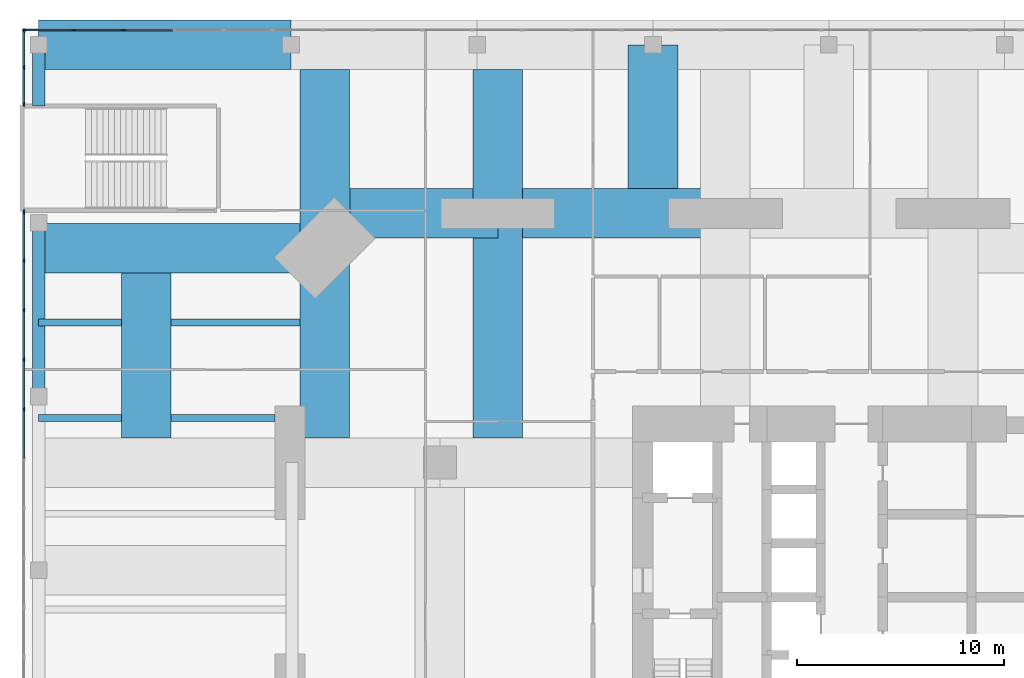
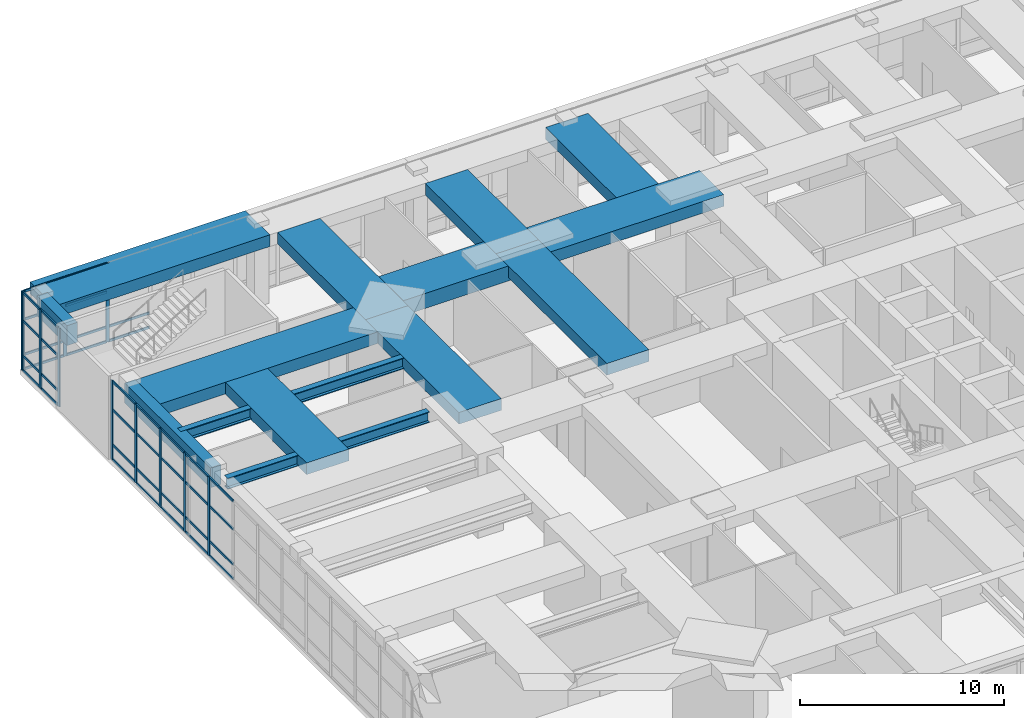
# One storey, part 7 of 24: 49 members, 16 beams, 3 elements without a shape of their own.
"""IFC4 building model written with IfcOpenShell, lengths in metres."""

from ifc_helpers import new_model, si_unit, direction, frame, origin, origin_2d, place, context, subcontext, project, spatial, rectangle, i_section, extrude, material, material_profile, profile_set, type_object, element, aggregate, save


model = new_model("IFC4")

# Units and contexts
model_context = context("Model", 3, precision=1e-05, world=origin(), true_north=direction((0.0, 1.0)))
body_context = subcontext(model_context, "Body", "Model", "MODEL_VIEW")
ifc_project = project(units=[si_unit("LENGTHUNIT", "METRE"), si_unit("AREAUNIT", "SQUARE_METRE"), si_unit("VOLUMEUNIT", "CUBIC_METRE"), si_unit("PLANEANGLEUNIT", "RADIAN"), si_unit("MASSUNIT", "GRAM", prefix="KILO")], contexts=[model_context])

# Site, building, storey
site_placement = place(None, origin())
site = spatial("IfcSite", under=ifc_project, at=site_placement, CompositionType="ELEMENT")
building_placement = place(site_placement, origin())
building = spatial("IfcBuilding", under=site, at=building_placement, Name="Jalousie Tower", CompositionType="ELEMENT")
storey_placement = place(building_placement, frame((0.0, 0.0, 11.0)))
storey = spatial("IfcBuildingStorey", under=building, at=storey_placement, Name="L02", CompositionType="ELEMENT", Elevation=11.0)

# Beams
ifc_material_1 = material(Name="Steel ASTM A992 Grade 50", Category="steel")
ifc_material_profile_1 = material_profile(ifc_material_1, i_section(OverallWidth=0.332763671875, OverallDepth=0.660400390625, WebThickness=0.0244140625, FlangeThickness=0.0439453125, at=origin_2d()), Name="W24X229")
ifc_profile_set_1 = profile_set([ifc_material_profile_1], Name="Steel ASTM A992 Grade 50")
beam_type_1 = type_object("IfcBeamType", Name="PLANT FLOOR BEAM W24X229", PredefinedType="BEAM", material=ifc_profile_set_1)
beam_1_placement = place(storey_placement, frame((-9.199951171875, 27.155517578125, 4.389892578125), z_axis=(1.0, 0.0, 0.0), x_axis=(0.0, 1.0, 0.0)))
element("IfcBeam", 1, at=beam_1_placement, inside=storey, type_object=beam_type_1, Name="Plant floor beam under Mechanical plant room L03", PredefinedType="BEAM", context=body_context, shape_type="SweptSolid", body=[
    extrude(i_section(OverallWidth=0.332763671875, OverallDepth=0.660400390625, WebThickness=0.0244140625, FlangeThickness=0.0439453125, at=origin_2d()), origin(), (0.0, 0.0, 1.0), 4.0),
])
beam_2_placement = place(storey_placement, frame((-2.800048828125, 27.155517578125, 4.389892578125), z_axis=(1.0, 0.0, 0.0), x_axis=(0.0, 1.0, 0.0)))
element("IfcBeam", 2, at=beam_2_placement, inside=storey, type_object=beam_type_1, Name="Plant floor beam under Mechanical plant room L03", PredefinedType="BEAM", context=body_context, shape_type="SweptSolid", body=[
    extrude(i_section(OverallWidth=0.332763671875, OverallDepth=0.660400390625, WebThickness=0.0244140625, FlangeThickness=0.0439453125, at=origin_2d()), origin(), (0.0, 0.0, 1.0), 5.025146484375),
])
beam_3_placement = place(storey_placement, frame((-9.199951171875, 31.77783203125, 4.389892578125), z_axis=(1.0, 0.0, 0.0), x_axis=(0.0, 1.0, 0.0)))
element("IfcBeam", 3, at=beam_3_placement, inside=storey, type_object=beam_type_1, Name="Plant floor beam under Mechanical plant room L03", PredefinedType="BEAM", context=body_context, shape_type="SweptSolid", body=[
    extrude(i_section(OverallWidth=0.332763671875, OverallDepth=0.660400390625, WebThickness=0.0244140625, FlangeThickness=0.0439453125, at=origin_2d()), origin(), (0.0, 0.0, 1.0), 4.0),
])
beam_4_placement = place(storey_placement, frame((-2.800048828125, 31.77783203125, 4.389892578125), z_axis=(1.0, 0.0, 0.0), x_axis=(0.0, 1.0, 0.0)))
element("IfcBeam", 4, at=beam_4_placement, inside=storey, type_object=beam_type_1, Name="Plant floor beam under Mechanical plant room L03", PredefinedType="BEAM", context=body_context, shape_type="SweptSolid", body=[
    extrude(i_section(OverallWidth=0.332763671875, OverallDepth=0.660400390625, WebThickness=0.0244140625, FlangeThickness=0.0439453125, at=origin_2d()), origin(), (0.0, 0.0, 1.0), 6.2314453125),
])

# Curtain wall, members
ifc_material_2 = material(Name="Aluminium curtain wall", Category="aluminium")
curtain_wall_type = type_object("IfcCurtainWallType", Name="PODIUM WINDOW WALL", PredefinedType="USERDEFINED", material=ifc_material_2)
curtain_wall_1_placement = place(storey_placement, origin())
curtain_wall_1 = element("IfcCurtainWall", 5, at=curtain_wall_1_placement, inside=storey, type_object=curtain_wall_type, Name="Podium Window Wall L02 21", ObjectType="PODIUM WINDOW WALL", PredefinedType="USERDEFINED")
ifc_material_3 = material(Name="Aluminium mullion", Category="aluminium")
ifc_material_profile_2 = material_profile(ifc_material_3, rectangle(XDim=0.070068359375, YDim=0.199951171875, at=origin_2d()), Name="MULLION 70x200")
ifc_profile_set_2 = profile_set([ifc_material_profile_2], Name="Aluminium mullion")
member_type_1 = type_object("IfcMemberType", Name="PODIUM WINDOW WALL MULLION", PredefinedType="MULLION", material=ifc_profile_set_2)
member_1_placement = place(storey_placement, frame((-5.096923828125, 45.91259765625, 0.0), z_axis=(0.0, 0.0, 1.0), x_axis=(0.0, -1.0, 0.0)))
member_1 = element("IfcMember", 6, at=member_1_placement, type_object=member_type_1, Name="CW-P mullion 28", PredefinedType="MULLION", context=body_context, shape_type="SweptSolid", body=[
    extrude(rectangle(XDim=0.070068359375, YDim=0.199951171875, at=origin_2d()), origin(), (0.0, 0.0, 1.0), 4.719970703125),
])
member_2_placement = place(storey_placement, frame((-7.504638671875, 45.91259765625, 0.0), z_axis=(0.0, 0.0, 1.0), x_axis=(0.0, -1.0, 0.0)))
member_2 = element("IfcMember", 7, at=member_2_placement, type_object=member_type_1, Name="CW-P mullion 29", PredefinedType="MULLION", context=body_context, shape_type="SweptSolid", body=[
    extrude(rectangle(XDim=0.070068359375, YDim=0.199951171875, at=origin_2d()), origin(), (0.0, 0.0, 1.0), 4.719970703125),
])
member_3_placement = place(storey_placement, frame((-9.87744140625, 45.91259765625, 0.0), z_axis=(0.0, 0.0, 1.0), x_axis=(0.0, -1.0, 0.0)))
member_3 = element("IfcMember", 8, at=member_3_placement, type_object=member_type_1, Name="CW-P mullion 30", PredefinedType="MULLION", context=body_context, shape_type="SweptSolid", body=[
    extrude(rectangle(XDim=0.070068359375, YDim=0.199951171875, at=origin_2d()), origin(), (0.0, 0.0, 1.0), 4.719970703125),
])

curtain_wall_2_placement = place(storey_placement, origin())
curtain_wall_2 = element("IfcCurtainWall", 9, at=curtain_wall_2_placement, inside=storey, type_object=curtain_wall_type, Name="Podium Window Wall L02 31", ObjectType="PODIUM WINDOW WALL", PredefinedType="USERDEFINED")
member_4_placement = place(storey_placement, frame((-9.91259765625, 45.87744140625, 0.0), z_axis=(0.0, 0.0, 1.0), x_axis=(1.0, 0.0, 0.0)))
member_4 = element("IfcMember", 10, at=member_4_placement, type_object=member_type_1, Name="CW-P mullion 1", PredefinedType="MULLION", context=body_context, shape_type="SweptSolid", body=[
    extrude(rectangle(XDim=0.070068359375, YDim=0.199951171875, at=origin_2d()), origin(), (0.0, 0.0, 1.0), 4.719970703125),
])
member_5_placement = place(storey_placement, frame((-9.91259765625, 44.106201171875, 0.0), z_axis=(0.0, 0.0, 1.0), x_axis=(1.0, 0.0, 0.0)))
member_5 = element("IfcMember", 11, at=member_5_placement, type_object=member_type_1, Name="CW-P mullion 2", PredefinedType="MULLION", context=body_context, shape_type="SweptSolid", body=[
    extrude(rectangle(XDim=0.070068359375, YDim=0.199951171875, at=origin_2d()), origin(), (0.0, 0.0, 1.0), 4.719970703125),
])
member_6_placement = place(storey_placement, frame((-9.91259765625, 42.3349609375, 0.0), z_axis=(0.0, 0.0, 1.0), x_axis=(1.0, 0.0, 0.0)))
member_6 = element("IfcMember", 12, at=member_6_placement, type_object=member_type_1, Name="CW-P mullion 3", PredefinedType="MULLION", context=body_context, shape_type="SweptSolid", body=[
    extrude(rectangle(XDim=0.070068359375, YDim=0.199951171875, at=origin_2d()), origin(), (0.0, 0.0, 1.0), 4.719970703125),
])

curtain_wall_3_placement = place(storey_placement, origin())
curtain_wall_3 = element("IfcCurtainWall", 13, at=curtain_wall_3_placement, inside=storey, type_object=curtain_wall_type, Name="Podium Window Wall L02 33", ObjectType="PODIUM WINDOW WALL", PredefinedType="USERDEFINED")
member_7_placement = place(storey_placement, frame((-9.91259765625, 37.114990234375, 0.0), z_axis=(0.0, 0.0, 1.0), x_axis=(1.0, 0.0, 0.0)))
member_7 = element("IfcMember", 14, at=member_7_placement, type_object=member_type_1, Name="CW-P mullion 1", PredefinedType="MULLION", context=body_context, shape_type="SweptSolid", body=[
    extrude(rectangle(XDim=0.070068359375, YDim=0.199951171875, at=origin_2d()), origin(), (0.0, 0.0, 1.0), 4.719970703125),
])
member_8_placement = place(storey_placement, frame((-9.91259765625, 34.757568359375, 0.0), z_axis=(0.0, 0.0, 1.0), x_axis=(1.0, 0.0, 0.0)))
member_8 = element("IfcMember", 15, at=member_8_placement, type_object=member_type_1, Name="CW-P mullion 2", PredefinedType="MULLION", context=body_context, shape_type="SweptSolid", body=[
    extrude(rectangle(XDim=0.070068359375, YDim=0.199951171875, at=origin_2d()), origin(), (0.0, 0.0, 1.0), 4.719970703125),
])
member_9_placement = place(storey_placement, frame((-9.91259765625, 32.365234375, 0.0), z_axis=(0.0, 0.0, 1.0), x_axis=(1.0, 0.0, 0.0)))
member_9 = element("IfcMember", 16, at=member_9_placement, type_object=member_type_1, Name="CW-P mullion 3", PredefinedType="MULLION", context=body_context, shape_type="SweptSolid", body=[
    extrude(rectangle(XDim=0.070068359375, YDim=0.199951171875, at=origin_2d()), origin(), (0.0, 0.0, 1.0), 4.719970703125),
])
member_10_placement = place(storey_placement, frame((-9.91259765625, 29.972900390625, 0.0), z_axis=(0.0, 0.0, 1.0), x_axis=(1.0, 0.0, 0.0)))
member_10 = element("IfcMember", 17, at=member_10_placement, type_object=member_type_1, Name="CW-P mullion 4", PredefinedType="MULLION", context=body_context, shape_type="SweptSolid", body=[
    extrude(rectangle(XDim=0.070068359375, YDim=0.199951171875, at=origin_2d()), origin(), (0.0, 0.0, 1.0), 4.719970703125),
])
member_11_placement = place(storey_placement, frame((-9.91259765625, 27.58056640625, 0.0), z_axis=(0.0, 0.0, 1.0), x_axis=(1.0, 0.0, 0.0)))
member_11 = element("IfcMember", 18, at=member_11_placement, type_object=member_type_1, Name="CW-P mullion 5", PredefinedType="MULLION", context=body_context, shape_type="SweptSolid", body=[
    extrude(rectangle(XDim=0.070068359375, YDim=0.199951171875, at=origin_2d()), origin(), (0.0, 0.0, 1.0), 4.719970703125),
])

# Member
ifc_material_4 = material(Name="Aluminium transom", Category="aluminium")
ifc_material_profile_3 = material_profile(ifc_material_4, rectangle(XDim=0.070068359375, YDim=0.139892578125, at=origin_2d()), Name="TRANSOM 70x140")
ifc_profile_set_3 = profile_set([ifc_material_profile_3], Name="Aluminium transom")
member_type_2 = type_object("IfcMemberType", Name="PODIUM WINDOW WALL TRANSOM", PredefinedType="USERDEFINED", material=ifc_profile_set_3)
member_12_placement = place(storey_placement, frame((-2.72412109375, 45.91259765625, 0.034912109375), z_axis=(-1.0, 0.0, 0.0), x_axis=(0.0, -1.0, 0.0)))
member_12 = element("IfcMember", 19, at=member_12_placement, type_object=member_type_2, Name="CW-P transom 27.1", ObjectType="TRANSOM", PredefinedType="USERDEFINED", context=body_context, shape_type="SweptSolid", body=[
    extrude(rectangle(XDim=0.070068359375, YDim=0.139892578125, at=origin_2d()), origin(), (0.0, 0.0, 1.0), 2.337890625),
])

member_13_placement = place(storey_placement, frame((-2.72412109375, 45.91259765625, 0.89990234375), z_axis=(-1.0, 0.0, 0.0), x_axis=(0.0, -1.0, 0.0)))
member_13 = element("IfcMember", 20, at=member_13_placement, type_object=member_type_2, Name="CW-P transom 27.2", ObjectType="TRANSOM", PredefinedType="USERDEFINED", context=body_context, shape_type="SweptSolid", body=[
    extrude(rectangle(XDim=0.070068359375, YDim=0.139892578125, at=origin_2d()), origin(), (0.0, 0.0, 1.0), 2.337890625),
])

member_14_placement = place(storey_placement, frame((-5.132080078125, 45.91259765625, 0.034912109375), z_axis=(-1.0, 0.0, 0.0), x_axis=(0.0, -1.0, 0.0)))
member_14 = element("IfcMember", 21, at=member_14_placement, type_object=member_type_2, Name="CW-P transom 28.1", ObjectType="TRANSOM", PredefinedType="USERDEFINED", context=body_context, shape_type="SweptSolid", body=[
    extrude(rectangle(XDim=0.070068359375, YDim=0.139892578125, at=origin_2d()), origin(), (0.0, 0.0, 1.0), 2.337646484375),
])

member_15_placement = place(storey_placement, frame((-5.132080078125, 45.91259765625, 0.89990234375), z_axis=(-1.0, 0.0, 0.0), x_axis=(0.0, -1.0, 0.0)))
member_15 = element("IfcMember", 22, at=member_15_placement, type_object=member_type_2, Name="CW-P transom 28.2", ObjectType="TRANSOM", PredefinedType="USERDEFINED", context=body_context, shape_type="SweptSolid", body=[
    extrude(rectangle(XDim=0.070068359375, YDim=0.139892578125, at=origin_2d()), origin(), (0.0, 0.0, 1.0), 2.337646484375),
])

member_16_placement = place(storey_placement, frame((-5.132080078125, 45.91259765625, 3.0), z_axis=(-1.0, 0.0, 0.0), x_axis=(0.0, -1.0, 0.0)))
member_16 = element("IfcMember", 23, at=member_16_placement, type_object=member_type_2, Name="CW-P transom 28.3", ObjectType="TRANSOM", PredefinedType="USERDEFINED", context=body_context, shape_type="SweptSolid", body=[
    extrude(rectangle(XDim=0.070068359375, YDim=0.139892578125, at=origin_2d()), origin(), (0.0, 0.0, 1.0), 2.337646484375),
])

member_17_placement = place(storey_placement, frame((-5.132080078125, 45.91259765625, 4.68505859375), z_axis=(-1.0, 0.0, 0.0), x_axis=(0.0, -1.0, 0.0)))
member_17 = element("IfcMember", 24, at=member_17_placement, type_object=member_type_2, Name="CW-P transom 28.4", ObjectType="TRANSOM", PredefinedType="USERDEFINED", context=body_context, shape_type="SweptSolid", body=[
    extrude(rectangle(XDim=0.070068359375, YDim=0.139892578125, at=origin_2d()), origin(), (0.0, 0.0, 1.0), 2.337646484375),
])

member_18_placement = place(storey_placement, frame((-7.539794921875, 45.91259765625, 0.034912109375), z_axis=(-1.0, 0.0, 0.0), x_axis=(0.0, -1.0, 0.0)))
member_18 = element("IfcMember", 25, at=member_18_placement, type_object=member_type_2, Name="CW-P transom 29.1", ObjectType="TRANSOM", PredefinedType="USERDEFINED", context=body_context, shape_type="SweptSolid", body=[
    extrude(rectangle(XDim=0.070068359375, YDim=0.139892578125, at=origin_2d()), origin(), (0.0, 0.0, 1.0), 2.302734375),
])

member_19_placement = place(storey_placement, frame((-7.539794921875, 45.91259765625, 0.89990234375), z_axis=(-1.0, 0.0, 0.0), x_axis=(0.0, -1.0, 0.0)))
member_19 = element("IfcMember", 26, at=member_19_placement, type_object=member_type_2, Name="CW-P transom 29.2", ObjectType="TRANSOM", PredefinedType="USERDEFINED", context=body_context, shape_type="SweptSolid", body=[
    extrude(rectangle(XDim=0.070068359375, YDim=0.139892578125, at=origin_2d()), origin(), (0.0, 0.0, 1.0), 2.302734375),
])

member_20_placement = place(storey_placement, frame((-7.539794921875, 45.91259765625, 3.0), z_axis=(-1.0, 0.0, 0.0), x_axis=(0.0, -1.0, 0.0)))
member_20 = element("IfcMember", 27, at=member_20_placement, type_object=member_type_2, Name="CW-P transom 29.3", ObjectType="TRANSOM", PredefinedType="USERDEFINED", context=body_context, shape_type="SweptSolid", body=[
    extrude(rectangle(XDim=0.070068359375, YDim=0.139892578125, at=origin_2d()), origin(), (0.0, 0.0, 1.0), 2.302734375),
])

member_21_placement = place(storey_placement, frame((-7.539794921875, 45.91259765625, 4.68505859375), z_axis=(-1.0, 0.0, 0.0), x_axis=(0.0, -1.0, 0.0)))
member_21 = element("IfcMember", 28, at=member_21_placement, type_object=member_type_2, Name="CW-P transom 29.4", ObjectType="TRANSOM", PredefinedType="USERDEFINED", context=body_context, shape_type="SweptSolid", body=[
    extrude(rectangle(XDim=0.070068359375, YDim=0.139892578125, at=origin_2d()), origin(), (0.0, 0.0, 1.0), 2.302734375),
])

aggregate(curtain_wall_1, [member_1, member_2, member_3, member_12, member_13, member_14, member_15, member_16, member_17, member_18, member_19, member_20, member_21])

member_22_placement = place(storey_placement, frame((-9.91259765625, 45.842529296875, 0.034912109375), z_axis=(0.0, -1.0, 0.0), x_axis=(1.0, 0.0, 0.0)))
member_22 = element("IfcMember", 29, at=member_22_placement, type_object=member_type_2, Name="CW-P transom 1.1", ObjectType="TRANSOM", PredefinedType="USERDEFINED", context=body_context, shape_type="SweptSolid", body=[
    extrude(rectangle(XDim=0.070068359375, YDim=0.139892578125, at=origin_2d()), origin(), (0.0, 0.0, 1.0), 1.701171875),
])

member_23_placement = place(storey_placement, frame((-9.91259765625, 45.842529296875, 0.89990234375), z_axis=(0.0, -1.0, 0.0), x_axis=(1.0, 0.0, 0.0)))
member_23 = element("IfcMember", 30, at=member_23_placement, type_object=member_type_2, Name="CW-P transom 1.2", ObjectType="TRANSOM", PredefinedType="USERDEFINED", context=body_context, shape_type="SweptSolid", body=[
    extrude(rectangle(XDim=0.070068359375, YDim=0.139892578125, at=origin_2d()), origin(), (0.0, 0.0, 1.0), 1.701171875),
])

member_24_placement = place(storey_placement, frame((-9.91259765625, 45.842529296875, 3.0), z_axis=(0.0, -1.0, 0.0), x_axis=(1.0, 0.0, 0.0)))
member_24 = element("IfcMember", 31, at=member_24_placement, type_object=member_type_2, Name="CW-P transom 1.3", ObjectType="TRANSOM", PredefinedType="USERDEFINED", context=body_context, shape_type="SweptSolid", body=[
    extrude(rectangle(XDim=0.070068359375, YDim=0.139892578125, at=origin_2d()), origin(), (0.0, 0.0, 1.0), 1.701171875),
])

member_25_placement = place(storey_placement, frame((-9.91259765625, 45.842529296875, 4.68505859375), z_axis=(0.0, -1.0, 0.0), x_axis=(1.0, 0.0, 0.0)))
member_25 = element("IfcMember", 32, at=member_25_placement, type_object=member_type_2, Name="CW-P transom 1.4", ObjectType="TRANSOM", PredefinedType="USERDEFINED", context=body_context, shape_type="SweptSolid", body=[
    extrude(rectangle(XDim=0.070068359375, YDim=0.139892578125, at=origin_2d()), origin(), (0.0, 0.0, 1.0), 1.701171875),
])

member_26_placement = place(storey_placement, frame((-9.91259765625, 44.0712890625, 0.034912109375), z_axis=(0.0, -1.0, 0.0), x_axis=(1.0, 0.0, 0.0)))
member_26 = element("IfcMember", 33, at=member_26_placement, type_object=member_type_2, Name="CW-P transom 2.1", ObjectType="TRANSOM", PredefinedType="USERDEFINED", context=body_context, shape_type="SweptSolid", body=[
    extrude(rectangle(XDim=0.070068359375, YDim=0.139892578125, at=origin_2d()), origin(), (0.0, 0.0, 1.0), 1.701171875),
])

member_27_placement = place(storey_placement, frame((-9.91259765625, 44.0712890625, 0.89990234375), z_axis=(0.0, -1.0, 0.0), x_axis=(1.0, 0.0, 0.0)))
member_27 = element("IfcMember", 34, at=member_27_placement, type_object=member_type_2, Name="CW-P transom 2.2", ObjectType="TRANSOM", PredefinedType="USERDEFINED", context=body_context, shape_type="SweptSolid", body=[
    extrude(rectangle(XDim=0.070068359375, YDim=0.139892578125, at=origin_2d()), origin(), (0.0, 0.0, 1.0), 1.701171875),
])

member_28_placement = place(storey_placement, frame((-9.91259765625, 44.0712890625, 3.0), z_axis=(0.0, -1.0, 0.0), x_axis=(1.0, 0.0, 0.0)))
member_28 = element("IfcMember", 35, at=member_28_placement, type_object=member_type_2, Name="CW-P transom 2.3", ObjectType="TRANSOM", PredefinedType="USERDEFINED", context=body_context, shape_type="SweptSolid", body=[
    extrude(rectangle(XDim=0.070068359375, YDim=0.139892578125, at=origin_2d()), origin(), (0.0, 0.0, 1.0), 1.701171875),
])

member_29_placement = place(storey_placement, frame((-9.91259765625, 44.0712890625, 4.68505859375), z_axis=(0.0, -1.0, 0.0), x_axis=(1.0, 0.0, 0.0)))
member_29 = element("IfcMember", 36, at=member_29_placement, type_object=member_type_2, Name="CW-P transom 2.4", ObjectType="TRANSOM", PredefinedType="USERDEFINED", context=body_context, shape_type="SweptSolid", body=[
    extrude(rectangle(XDim=0.070068359375, YDim=0.139892578125, at=origin_2d()), origin(), (0.0, 0.0, 1.0), 1.701171875),
])

aggregate(curtain_wall_2, [member_4, member_5, member_6, member_22, member_23, member_24, member_25, member_26, member_27, member_28, member_29])

member_30_placement = place(storey_placement, frame((-9.91259765625, 37.080078125, 0.034912109375), z_axis=(0.0, -1.0, 0.0), x_axis=(1.0, 0.0, 0.0)))
member_30 = element("IfcMember", 37, at=member_30_placement, type_object=member_type_2, Name="CW-P transom 1.1", ObjectType="TRANSOM", PredefinedType="USERDEFINED", context=body_context, shape_type="SweptSolid", body=[
    extrude(rectangle(XDim=0.070068359375, YDim=0.139892578125, at=origin_2d()), origin(), (0.0, 0.0, 1.0), 2.287353515625),
])

member_31_placement = place(storey_placement, frame((-9.91259765625, 37.080078125, 0.89990234375), z_axis=(0.0, -1.0, 0.0), x_axis=(1.0, 0.0, 0.0)))
member_31 = element("IfcMember", 38, at=member_31_placement, type_object=member_type_2, Name="CW-P transom 1.2", ObjectType="TRANSOM", PredefinedType="USERDEFINED", context=body_context, shape_type="SweptSolid", body=[
    extrude(rectangle(XDim=0.070068359375, YDim=0.139892578125, at=origin_2d()), origin(), (0.0, 0.0, 1.0), 2.287353515625),
])

member_32_placement = place(storey_placement, frame((-9.91259765625, 37.080078125, 3.0), z_axis=(0.0, -1.0, 0.0), x_axis=(1.0, 0.0, 0.0)))
member_32 = element("IfcMember", 39, at=member_32_placement, type_object=member_type_2, Name="CW-P transom 1.3", ObjectType="TRANSOM", PredefinedType="USERDEFINED", context=body_context, shape_type="SweptSolid", body=[
    extrude(rectangle(XDim=0.070068359375, YDim=0.139892578125, at=origin_2d()), origin(), (0.0, 0.0, 1.0), 2.287353515625),
])

member_33_placement = place(storey_placement, frame((-9.91259765625, 37.080078125, 4.68505859375), z_axis=(0.0, -1.0, 0.0), x_axis=(1.0, 0.0, 0.0)))
member_33 = element("IfcMember", 40, at=member_33_placement, type_object=member_type_2, Name="CW-P transom 1.4", ObjectType="TRANSOM", PredefinedType="USERDEFINED", context=body_context, shape_type="SweptSolid", body=[
    extrude(rectangle(XDim=0.070068359375, YDim=0.139892578125, at=origin_2d()), origin(), (0.0, 0.0, 1.0), 2.287353515625),
])

member_34_placement = place(storey_placement, frame((-9.91259765625, 34.72265625, 0.034912109375), z_axis=(0.0, -1.0, 0.0), x_axis=(1.0, 0.0, 0.0)))
member_34 = element("IfcMember", 41, at=member_34_placement, type_object=member_type_2, Name="CW-P transom 2.1", ObjectType="TRANSOM", PredefinedType="USERDEFINED", context=body_context, shape_type="SweptSolid", body=[
    extrude(rectangle(XDim=0.070068359375, YDim=0.139892578125, at=origin_2d()), origin(), (0.0, 0.0, 1.0), 2.322265625),
])

member_35_placement = place(storey_placement, frame((-9.91259765625, 34.72265625, 0.89990234375), z_axis=(0.0, -1.0, 0.0), x_axis=(1.0, 0.0, 0.0)))
member_35 = element("IfcMember", 42, at=member_35_placement, type_object=member_type_2, Name="CW-P transom 2.2", ObjectType="TRANSOM", PredefinedType="USERDEFINED", context=body_context, shape_type="SweptSolid", body=[
    extrude(rectangle(XDim=0.070068359375, YDim=0.139892578125, at=origin_2d()), origin(), (0.0, 0.0, 1.0), 2.322265625),
])

member_36_placement = place(storey_placement, frame((-9.91259765625, 34.72265625, 3.0), z_axis=(0.0, -1.0, 0.0), x_axis=(1.0, 0.0, 0.0)))
member_36 = element("IfcMember", 43, at=member_36_placement, type_object=member_type_2, Name="CW-P transom 2.3", ObjectType="TRANSOM", PredefinedType="USERDEFINED", context=body_context, shape_type="SweptSolid", body=[
    extrude(rectangle(XDim=0.070068359375, YDim=0.139892578125, at=origin_2d()), origin(), (0.0, 0.0, 1.0), 2.322265625),
])

member_37_placement = place(storey_placement, frame((-9.91259765625, 34.72265625, 4.68505859375), z_axis=(0.0, -1.0, 0.0), x_axis=(1.0, 0.0, 0.0)))
member_37 = element("IfcMember", 44, at=member_37_placement, type_object=member_type_2, Name="CW-P transom 2.4", ObjectType="TRANSOM", PredefinedType="USERDEFINED", context=body_context, shape_type="SweptSolid", body=[
    extrude(rectangle(XDim=0.070068359375, YDim=0.139892578125, at=origin_2d()), origin(), (0.0, 0.0, 1.0), 2.322265625),
])

member_38_placement = place(storey_placement, frame((-9.91259765625, 32.330322265625, 0.034912109375), z_axis=(0.0, -1.0, 0.0), x_axis=(1.0, 0.0, 0.0)))
member_38 = element("IfcMember", 45, at=member_38_placement, type_object=member_type_2, Name="CW-P transom 3.1", ObjectType="TRANSOM", PredefinedType="USERDEFINED", context=body_context, shape_type="SweptSolid", body=[
    extrude(rectangle(XDim=0.070068359375, YDim=0.139892578125, at=origin_2d()), origin(), (0.0, 0.0, 1.0), 2.322509765625),
])

member_39_placement = place(storey_placement, frame((-9.91259765625, 32.330322265625, 0.89990234375), z_axis=(0.0, -1.0, 0.0), x_axis=(1.0, 0.0, 0.0)))
member_39 = element("IfcMember", 46, at=member_39_placement, type_object=member_type_2, Name="CW-P transom 3.2", ObjectType="TRANSOM", PredefinedType="USERDEFINED", context=body_context, shape_type="SweptSolid", body=[
    extrude(rectangle(XDim=0.070068359375, YDim=0.139892578125, at=origin_2d()), origin(), (0.0, 0.0, 1.0), 2.322509765625),
])

member_40_placement = place(storey_placement, frame((-9.91259765625, 32.330322265625, 3.0), z_axis=(0.0, -1.0, 0.0), x_axis=(1.0, 0.0, 0.0)))
member_40 = element("IfcMember", 47, at=member_40_placement, type_object=member_type_2, Name="CW-P transom 3.3", ObjectType="TRANSOM", PredefinedType="USERDEFINED", context=body_context, shape_type="SweptSolid", body=[
    extrude(rectangle(XDim=0.070068359375, YDim=0.139892578125, at=origin_2d()), origin(), (0.0, 0.0, 1.0), 2.322509765625),
])

member_41_placement = place(storey_placement, frame((-9.91259765625, 32.330322265625, 4.68505859375), z_axis=(0.0, -1.0, 0.0), x_axis=(1.0, 0.0, 0.0)))
member_41 = element("IfcMember", 48, at=member_41_placement, type_object=member_type_2, Name="CW-P transom 3.4", ObjectType="TRANSOM", PredefinedType="USERDEFINED", context=body_context, shape_type="SweptSolid", body=[
    extrude(rectangle(XDim=0.070068359375, YDim=0.139892578125, at=origin_2d()), origin(), (0.0, 0.0, 1.0), 2.322509765625),
])

member_42_placement = place(storey_placement, frame((-9.91259765625, 29.93798828125, 0.034912109375), z_axis=(0.0, -1.0, 0.0), x_axis=(1.0, 0.0, 0.0)))
member_42 = element("IfcMember", 49, at=member_42_placement, type_object=member_type_2, Name="CW-P transom 4.1", ObjectType="TRANSOM", PredefinedType="USERDEFINED", context=body_context, shape_type="SweptSolid", body=[
    extrude(rectangle(XDim=0.070068359375, YDim=0.139892578125, at=origin_2d()), origin(), (0.0, 0.0, 1.0), 2.322509765625),
])

member_43_placement = place(storey_placement, frame((-9.91259765625, 29.93798828125, 0.89990234375), z_axis=(0.0, -1.0, 0.0), x_axis=(1.0, 0.0, 0.0)))
member_43 = element("IfcMember", 50, at=member_43_placement, type_object=member_type_2, Name="CW-P transom 4.2", ObjectType="TRANSOM", PredefinedType="USERDEFINED", context=body_context, shape_type="SweptSolid", body=[
    extrude(rectangle(XDim=0.070068359375, YDim=0.139892578125, at=origin_2d()), origin(), (0.0, 0.0, 1.0), 2.322509765625),
])

member_44_placement = place(storey_placement, frame((-9.91259765625, 29.93798828125, 3.0), z_axis=(0.0, -1.0, 0.0), x_axis=(1.0, 0.0, 0.0)))
member_44 = element("IfcMember", 51, at=member_44_placement, type_object=member_type_2, Name="CW-P transom 4.3", ObjectType="TRANSOM", PredefinedType="USERDEFINED", context=body_context, shape_type="SweptSolid", body=[
    extrude(rectangle(XDim=0.070068359375, YDim=0.139892578125, at=origin_2d()), origin(), (0.0, 0.0, 1.0), 2.322509765625),
])

member_45_placement = place(storey_placement, frame((-9.91259765625, 29.93798828125, 4.68505859375), z_axis=(0.0, -1.0, 0.0), x_axis=(1.0, 0.0, 0.0)))
member_45 = element("IfcMember", 52, at=member_45_placement, type_object=member_type_2, Name="CW-P transom 4.4", ObjectType="TRANSOM", PredefinedType="USERDEFINED", context=body_context, shape_type="SweptSolid", body=[
    extrude(rectangle(XDim=0.070068359375, YDim=0.139892578125, at=origin_2d()), origin(), (0.0, 0.0, 1.0), 2.322509765625),
])

member_46_placement = place(storey_placement, frame((-9.91259765625, 27.545654296875, 0.034912109375), z_axis=(0.0, -1.0, 0.0), x_axis=(1.0, 0.0, 0.0)))
member_46 = element("IfcMember", 53, at=member_46_placement, type_object=member_type_2, Name="CW-P transom 5.1", ObjectType="TRANSOM", PredefinedType="USERDEFINED", context=body_context, shape_type="SweptSolid", body=[
    extrude(rectangle(XDim=0.070068359375, YDim=0.139892578125, at=origin_2d()), origin(), (0.0, 0.0, 1.0), 2.322509765625),
])

member_47_placement = place(storey_placement, frame((-9.91259765625, 27.545654296875, 0.89990234375), z_axis=(0.0, -1.0, 0.0), x_axis=(1.0, 0.0, 0.0)))
member_47 = element("IfcMember", 54, at=member_47_placement, type_object=member_type_2, Name="CW-P transom 5.2", ObjectType="TRANSOM", PredefinedType="USERDEFINED", context=body_context, shape_type="SweptSolid", body=[
    extrude(rectangle(XDim=0.070068359375, YDim=0.139892578125, at=origin_2d()), origin(), (0.0, 0.0, 1.0), 2.322509765625),
])

member_48_placement = place(storey_placement, frame((-9.91259765625, 27.545654296875, 3.0), z_axis=(0.0, -1.0, 0.0), x_axis=(1.0, 0.0, 0.0)))
member_48 = element("IfcMember", 55, at=member_48_placement, type_object=member_type_2, Name="CW-P transom 5.3", ObjectType="TRANSOM", PredefinedType="USERDEFINED", context=body_context, shape_type="SweptSolid", body=[
    extrude(rectangle(XDim=0.070068359375, YDim=0.139892578125, at=origin_2d()), origin(), (0.0, 0.0, 1.0), 2.322509765625),
])

member_49_placement = place(storey_placement, frame((-9.91259765625, 27.545654296875, 4.68505859375), z_axis=(0.0, -1.0, 0.0), x_axis=(1.0, 0.0, 0.0)))
member_49 = element("IfcMember", 56, at=member_49_placement, type_object=member_type_2, Name="CW-P transom 5.4", ObjectType="TRANSOM", PredefinedType="USERDEFINED", context=body_context, shape_type="SweptSolid", body=[
    extrude(rectangle(XDim=0.070068359375, YDim=0.139892578125, at=origin_2d()), origin(), (0.0, 0.0, 1.0), 2.322509765625),
])

aggregate(curtain_wall_3, [member_7, member_8, member_9, member_10, member_11, member_30, member_31, member_32, member_33, member_34, member_35, member_36, member_37, member_38, member_39, member_40, member_41, member_42, member_43, member_44, member_45, member_46, member_47, member_48, member_49])

# Beams
ifc_material_5 = material(Name="Concrete f'c 40 MPa", Category="concrete")
ifc_material_profile_4 = material_profile(ifc_material_5, rectangle(XDim=2.39990234375, YDim=0.699951171875, at=origin_2d()), Name="RC 2400x700")
ifc_profile_set_4 = profile_set([ifc_material_profile_4], Name="Concrete f'c 40 MPa")
beam_type_2 = type_object("IfcBeamType", Name="RC BEAM 2400x700", PredefinedType="BEAM", material=ifc_profile_set_4)
beam_5_placement = place(storey_placement, frame((24.0, 37.050048828125, 4.3701171875), z_axis=(-1.0, 0.0, 0.0), x_axis=(0.0, -1.0, 0.0)))
element("IfcBeam", 57, at=beam_5_placement, inside=storey, type_object=beam_type_2, Name="Floor band beam under L03", PredefinedType="BEAM", context=body_context, shape_type="SweptSolid", body=[
    extrude(rectangle(XDim=2.39990234375, YDim=0.699951171875, at=origin_2d()), origin(), (0.0, 0.0, 1.0), 11.0),
])
beam_6_placement = place(storey_placement, frame((-9.199951171875, 45.199951171875, 4.3701171875), z_axis=(1.0, 0.0, 0.0), x_axis=(0.0, 1.0, 0.0)))
element("IfcBeam", 58, at=beam_6_placement, inside=storey, type_object=beam_type_2, Name="Floor band beam under L03", PredefinedType="BEAM", context=body_context, shape_type="SweptSolid", body=[
    extrude(rectangle(XDim=2.39990234375, YDim=0.699951171875, at=origin_2d()), origin(), (0.0, 0.0, 1.0), 12.199951171875),
])
beam_7_placement = place(storey_placement, frame((4.63134765625, 35.36865234375, 4.3701171875), z_axis=(-1.0, 0.0, 0.0), x_axis=(0.0, -1.0, 0.0)))
element("IfcBeam", 59, at=beam_7_placement, inside=storey, type_object=beam_type_2, Name="Floor band beam under L03", PredefinedType="BEAM", context=body_context, shape_type="SweptSolid", body=[
    extrude(rectangle(XDim=2.39990234375, YDim=0.699951171875, at=origin_2d()), origin(), (0.0, 0.0, 1.0), 13.831298828125),
])
beam_8_placement = place(storey_placement, frame((4.63134765625, 35.36865234375, 4.3701171875), z_axis=(0.0, 1.0, 0.0), x_axis=(-1.0, 0.0, 0.0)))
element("IfcBeam", 60, at=beam_8_placement, inside=storey, type_object=beam_type_2, Name="Floor band beam under L03", PredefinedType="BEAM", context=body_context, shape_type="SweptSolid", body=[
    extrude(rectangle(XDim=2.39990234375, YDim=0.699951171875, at=origin_2d()), origin(), (0.0, 0.0, 1.0), 8.63134765625),
])
beam_9_placement = place(storey_placement, frame((4.63134765625, 35.36865234375, 4.3701171875), z_axis=(0.0, -1.0, 0.0), x_axis=(1.0, 0.0, 0.0)))
element("IfcBeam", 61, at=beam_9_placement, inside=storey, type_object=beam_type_2, Name="Floor band beam under L03", PredefinedType="BEAM", context=body_context, shape_type="SweptSolid", body=[
    extrude(rectangle(XDim=2.39990234375, YDim=0.699951171875, at=origin_2d()), origin(), (0.0, 0.0, 1.0), 9.168701171875),
])
beam_10_placement = place(storey_placement, frame((13.0, 37.050048828125, 4.3701171875), z_axis=(0.0, 1.0, 0.0), x_axis=(-1.0, 0.0, 0.0)))
element("IfcBeam", 62, at=beam_10_placement, inside=storey, type_object=beam_type_2, Name="Floor band beam under L03", PredefinedType="BEAM", context=body_context, shape_type="SweptSolid", body=[
    extrude(rectangle(XDim=2.39990234375, YDim=0.699951171875, at=origin_2d()), origin(), (0.0, 0.0, 1.0), 6.949951171875),
])
beam_11_placement = place(storey_placement, frame((13.0, 37.050048828125, 4.3701171875), z_axis=(0.0, -1.0, 0.0), x_axis=(1.0, 0.0, 0.0)))
element("IfcBeam", 63, at=beam_11_placement, inside=storey, type_object=beam_type_2, Name="Floor band beam under L03", PredefinedType="BEAM", context=body_context, shape_type="SweptSolid", body=[
    extrude(rectangle(XDim=2.39990234375, YDim=0.699951171875, at=origin_2d()), origin(), (0.0, 0.0, 1.0), 10.85009765625),
])
beam_12_placement = place(storey_placement, frame((20.5, 45.199951171875, 4.3701171875), z_axis=(0.0, -1.0, 0.0), x_axis=(1.0, 0.0, 0.0)))
element("IfcBeam", 64, at=beam_12_placement, inside=storey, type_object=beam_type_2, Name="Floor band beam under L03", PredefinedType="BEAM", context=body_context, shape_type="SweptSolid", body=[
    extrude(rectangle(XDim=2.39990234375, YDim=0.699951171875, at=origin_2d()), origin(), (0.0, 0.0, 1.0), 6.949951171875),
])
beam_13_placement = place(storey_placement, frame((-4.0, 26.199951171875, 4.3701171875), z_axis=(0.0, 1.0, 0.0), x_axis=(-1.0, 0.0, 0.0)))
element("IfcBeam", 65, at=beam_13_placement, inside=storey, type_object=beam_type_2, Name="Floor band beam under L03", PredefinedType="BEAM", context=body_context, shape_type="SweptSolid", body=[
    extrude(rectangle(XDim=2.39990234375, YDim=0.699951171875, at=origin_2d()), origin(), (0.0, 0.0, 1.0), 7.96875),
])
ifc_material_6 = material(Name="Concrete f'c 40 MPa", Category="concrete")
ifc_material_profile_5 = material_profile(ifc_material_6, rectangle(XDim=2.39990234375, YDim=0.89990234375, at=origin_2d()), Name="RC 2400x900")
ifc_profile_set_5 = profile_set([ifc_material_profile_5], Name="Concrete f'c 40 MPa")
beam_type_3 = type_object("IfcBeamType", Name="RC BEAM 2400x900", PredefinedType="BEAM", material=ifc_profile_set_5)
beam_14_placement = place(storey_placement, frame((13.0, 37.050048828125, 4.27001953125), z_axis=(-1.0, 0.0, 0.0), x_axis=(0.0, -1.0, 0.0)))
element("IfcBeam", 66, at=beam_14_placement, inside=storey, type_object=beam_type_3, Name="Floor band beam under L03", PredefinedType="BEAM", context=body_context, shape_type="SweptSolid", body=[
    extrude(rectangle(XDim=2.39990234375, YDim=0.89990234375, at=origin_2d()), origin(), (0.0, 0.0, 1.0), 7.15087890625),
])
ifc_material_7 = material(Name="Concrete f'c 40 MPa", Category="concrete")
ifc_material_profile_6 = material_profile(ifc_material_7, rectangle(XDim=0.60009765625, YDim=1.199951171875, at=origin_2d()), Name="RC 600x1200")
ifc_profile_set_6 = profile_set([ifc_material_profile_6], Name="Concrete f'c 40 MPa")
beam_type_4 = type_object("IfcBeamType", Name="RC BEAM 600x1200", PredefinedType="BEAM", material=ifc_profile_set_6)
beam_15_placement = place(storey_placement, frame((-9.199951171875, 28.199951171875, 4.1201171875), z_axis=(0.0, 1.0, 0.0), x_axis=(-1.0, 0.0, 0.0)))
element("IfcBeam", 67, at=beam_15_placement, inside=storey, type_object=beam_type_4, Name="Podium plant girder under L03 line x -9.2", PredefinedType="BEAM", context=body_context, shape_type="SweptSolid", body=[
    extrude(rectangle(XDim=0.60009765625, YDim=1.199951171875, at=origin_2d()), origin(), (0.0, 0.0, 1.0), 8.400146484375),
])
beam_16_placement = place(storey_placement, frame((-9.199951171875, 42.25, 4.1201171875), z_axis=(0.0, 1.0, 0.0), x_axis=(-1.0, 0.0, 0.0)))
element("IfcBeam", 68, at=beam_16_placement, inside=storey, type_object=beam_type_4, Name="Podium plant girder under L03 line x -9.2", PredefinedType="BEAM", context=body_context, shape_type="SweptSolid", body=[
    extrude(rectangle(XDim=0.60009765625, YDim=1.199951171875, at=origin_2d()), origin(), (0.0, 0.0, 1.0), 2.949951171875),
])

save(model, "model.ifc")
